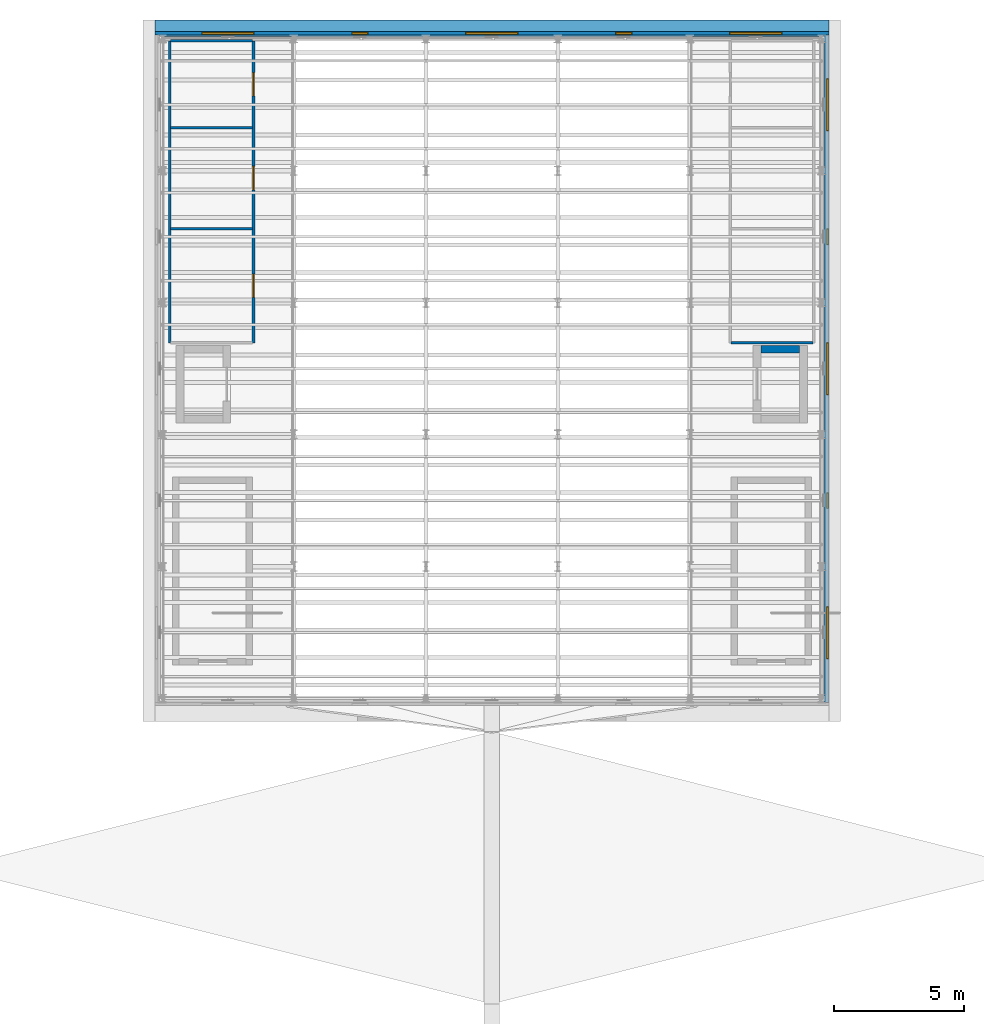
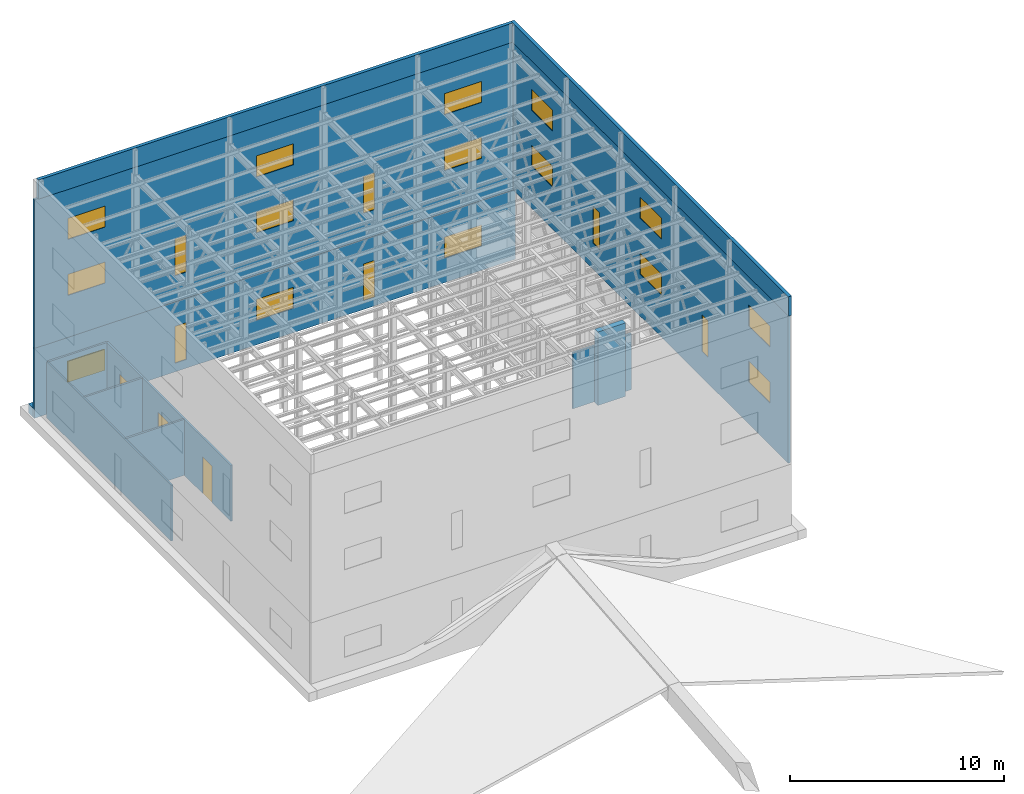
# One storey, part 20 of 22: 21 windows, 13 walls, 3 doors, 24 openings.
"""IFC4 building model written with IfcOpenShell, lengths in metres."""

import ifcopenshell
import ifcopenshell.guid

model = None  # the IFC model being written
_history = None  # IfcOwnerHistory: only IFC2X3 demands one
_inside = {}  # id of a spatial element -> (the spatial element, [elements in it])
_under = {}  # id of a project, library or spatial element -> (it, [spatial elements below it])
_declared = {}  # id of a project -> (the project, [libraries it declares])
_typed = {}  # id of a type object -> (the type object, [elements of that type])
_made_of = {}  # id of a material, layer set ... -> (it, [elements and type objects made of it])


def new_model(schema):
    """Start an empty IFC model of exactly this schema.

    Asked for "IFC4X3", IfcOpenShell would pick the latest addendum, in which some entities
    have other attributes; the version numbers below select the first issue.
    IFC2X3 requires an IfcOwnerHistory on every rooted entity: one is made here for all.
    """
    global model, _history
    if schema == "IFC4X3":
        model = ifcopenshell.file(schema_version=(4, 3, 0, 0))
    else:
        model = ifcopenshell.file(schema=schema)
    _inside.clear()
    _under.clear()
    _declared.clear()
    _typed.clear()
    _made_of.clear()
    _history = None
    if model.schema == "IFC2X3":
        org = make("IfcOrganization", Name="unknown")
        user = make(
            "IfcPersonAndOrganization",
            ThePerson=make("IfcPerson", FamilyName="unknown"),
            TheOrganization=org,
        )
        app = make(
            "IfcApplication",
            ApplicationDeveloper=org,
            Version="unknown",
            ApplicationFullName="unknown",
            ApplicationIdentifier="unknown",
        )
        _history = make(
            "IfcOwnerHistory",
            OwningUser=user,
            OwningApplication=app,
            ChangeAction="ADDED",
            CreationDate=0,
        )
    return model


def make(cls, **values):
    """One entity of the class cls with the attributes given. An attribute that is None is left unset."""
    return model.create_entity(
        cls, **{name: value for name, value in values.items() if value is not None}
    )


def rooted(cls, **values):
    """An entity with a GlobalId (a new one), such as an element, a storey or a relation."""
    return make(cls, GlobalId=ifcopenshell.guid.new(), OwnerHistory=_history, **values)


def si_unit(unit_type, name, prefix=None):
    """IfcSIUnit, for example si_unit("LENGTHUNIT", "METRE", prefix="MILLI")."""
    return make("IfcSIUnit", UnitType=unit_type, Prefix=prefix, Name=name)


def assignment(units):
    """IfcUnitAssignment: the units of a project."""
    return None if units is None else make("IfcUnitAssignment", Units=units)


def point(xyz):
    """IfcCartesianPoint."""
    return None if xyz is None else make("IfcCartesianPoint", Coordinates=xyz)


def direction(xyz):
    """IfcDirection."""
    return None if xyz is None else make("IfcDirection", DirectionRatios=xyz)


def frame(location, z_axis=None, x_axis=None):
    """IfcAxis2Placement3D, a coordinate frame: its origin and axes. An axis left out is left unset."""
    return make(
        "IfcAxis2Placement3D",
        Location=point(location),
        Axis=direction(z_axis),
        RefDirection=direction(x_axis),
    )


def frame_2d(location, x_axis=None):
    """IfcAxis2Placement2D, a coordinate frame in the plane: its origin and x axis."""
    return make(
        "IfcAxis2Placement2D", Location=point(location), RefDirection=direction(x_axis)
    )


def origin():
    """The frame at (0, 0, 0) with its axes left unset."""
    return frame((0.0, 0.0, 0.0))


def place(relative_to, where):
    """IfcLocalPlacement: puts the frame where relative to a parent placement (None: the world)."""
    return make(
        "IfcLocalPlacement", PlacementRelTo=relative_to, RelativePlacement=where
    )


def context(
    kind, dimensions, precision=None, world=None, true_north=None, identifier=None
):
    """IfcGeometricRepresentationContext, for example the 3D "Model" context."""
    return make(
        "IfcGeometricRepresentationContext",
        ContextIdentifier=identifier,
        ContextType=kind,
        CoordinateSpaceDimension=dimensions,
        Precision=precision,
        WorldCoordinateSystem=world,
        TrueNorth=true_north,
    )


def subcontext(parent, identifier, kind, view, scale=None):
    """IfcGeometricRepresentationSubContext, for example "Body" below "Model"."""
    return make(
        "IfcGeometricRepresentationSubContext",
        ContextIdentifier=identifier,
        ContextType=kind,
        ParentContext=parent,
        TargetScale=scale,
        TargetView=view,
    )


def project(units=None, contexts=None):
    """IfcProject with its units and contexts."""
    return rooted(
        "IfcProject",
        Name="project",
        RepresentationContexts=contexts,
        UnitsInContext=assignment(units),
    )


def spatial(cls, under=None, at=None, **own):
    """A site, building, storey or space (cls), placed at a placement, below another one or the project."""
    s = rooted(cls, ObjectPlacement=at, **own)
    if under is not None:
        _under.setdefault(under.id(), (under, []))[1].append(s)
    return s


def polyline(points):
    """IfcPolyline through the points."""
    return make("IfcPolyline", Points=[point(p) for p in points])


def profile(cls, at=None, kind="AREA", **sizes):
    """A parametric profile (cls). Its sizes go by their IFC names, for example OverallWidth=200.0."""
    return make(cls, ProfileType=kind, Position=at, **sizes)


def rectangle(**sizes):
    """IfcRectangleProfileDef."""
    return profile("IfcRectangleProfileDef", **sizes)


def outline(outer, holes=None, kind="AREA"):
    """IfcArbitraryClosedProfileDef: a profile drawn as a closed curve; with holes, ...WithVoids."""
    if holes is None:
        return make("IfcArbitraryClosedProfileDef", ProfileType=kind, OuterCurve=outer)
    return make(
        "IfcArbitraryProfileDefWithVoids",
        ProfileType=kind,
        OuterCurve=outer,
        InnerCurves=holes,
    )


def extrude(swept, where, along, depth):
    """IfcExtrudedAreaSolid: the profile swept, set in the frame where, extruded along a direction by depth."""
    return make(
        "IfcExtrudedAreaSolid",
        SweptArea=swept,
        Position=where,
        ExtrudedDirection=direction(along),
        Depth=depth,
    )


def shape(context_of_items, identifier, shape_type, items):
    """IfcShapeRepresentation: the items that make up one representation, for example the "Body"."""
    return make(
        "IfcShapeRepresentation",
        ContextOfItems=context_of_items,
        RepresentationIdentifier=identifier,
        RepresentationType=shape_type,
        Items=items,
    )


def material(Name=None, Category=None):
    """IfcMaterial."""
    return make("IfcMaterial", Name=Name, Category=Category)


def layer(
    of_material, thickness, ventilated=None, Name=None, Category=None, Priority=None
):
    """IfcMaterialLayer: one layer of a wall or slab, of a material (None: an air gap)."""
    return make(
        "IfcMaterialLayer",
        Material=of_material,
        LayerThickness=thickness,
        IsVentilated=ventilated,
        Name=Name,
        Category=Category,
        Priority=Priority,
    )


def layer_set(layers, Name=None):
    """IfcMaterialLayerSet."""
    return make("IfcMaterialLayerSet", MaterialLayers=layers, LayerSetName=Name)


def made_of(thing, what):
    """Note that an element or type object is made of a material, layer set ...; save() writes the relation."""
    if what is not None:
        _made_of.setdefault(what.id(), (what, []))[1].append(thing)
    return thing


def type_object(cls, material=None, **own):
    """A type object (cls), such as IfcWallType, which elements share."""
    return made_of(rooted(cls, **own), material)


def element(
    cls,
    number,
    at=None,
    inside=None,
    cuts=None,
    type_object=None,
    material=None,
    context=None,
    identifier="Body",
    shape_type=None,
    held_by="IfcProductDefinitionShape",
    body=None,
    shapes=None,
    **own,
):
    """One element of the class cls, such as IfcWall. Its Tag is "e" and its number.

    at: its placement. inside: the storey or other place that contains it. cuts: it is an
    opening in that element (IfcRelVoidsElement). A single representation is given by context,
    identifier, shape_type and body (its items); several are given by shapes. held_by: the class
    of the entity that holds the representations. save() writes the other relations.
    """
    e = rooted(cls, Tag="e%d" % number, ObjectPlacement=at, **own)
    if body is not None:
        shapes = [shape(context, identifier, shape_type, body)]
    if shapes is not None:
        e.Representation = make(held_by, Representations=shapes)
    if inside is not None:
        _inside.setdefault(inside.id(), (inside, []))[1].append(e)
    if cuts is not None:
        rooted(
            "IfcRelVoidsElement", RelatingBuildingElement=cuts, RelatedOpeningElement=e
        )
    if type_object is not None:
        _typed.setdefault(type_object.id(), (type_object, []))[1].append(e)
    return made_of(e, material)


def fill(opening, filler):
    """IfcRelFillsElement: the door or window that sits in an opening."""
    return rooted(
        "IfcRelFillsElement",
        RelatingOpeningElement=opening,
        RelatedBuildingElement=filler,
    )


def aggregate(whole, parts):
    """IfcRelAggregates: a whole, such as a stair, and the parts it consists of."""
    return rooted("IfcRelAggregates", RelatingObject=whole, RelatedObjects=parts)


def save(model, path):
    """Write the relations noted so far, then the file.

    IfcRelAggregates (storeys below a building ...), IfcRelContainedInSpatialStructure (elements
    in a storey), IfcRelDefinesByType, IfcRelAssociatesMaterial and IfcRelDeclares: one each for
    every whole, place, type object, material and project.
    """
    for whole, parts in _under.values():
        aggregate(whole, parts)
    for where, things in _inside.values():
        rooted(
            "IfcRelContainedInSpatialStructure",
            RelatedElements=things,
            RelatingStructure=where,
        )
    for kind, things in _typed.values():
        rooted("IfcRelDefinesByType", RelatedObjects=things, RelatingType=kind)
    for what, things in _made_of.values():
        rooted("IfcRelAssociatesMaterial", RelatedObjects=things, RelatingMaterial=what)
    for by, libraries in _declared.values():
        rooted("IfcRelDeclares", RelatingContext=by, RelatedDefinitions=libraries)
    model.write(path)


model = new_model("IFC4")

# Units and contexts
model_context = context("Model", 3, precision=1e-05, world=origin(), true_north=direction((0.0, 1.0)))
body_context = subcontext(model_context, "Body", "Model", "MODEL_VIEW")
ifc_project = project(units=[si_unit("LENGTHUNIT", "METRE"), si_unit("AREAUNIT", "SQUARE_METRE"), si_unit("VOLUMEUNIT", "CUBIC_METRE"), si_unit("PLANEANGLEUNIT", "RADIAN"), si_unit("MASSUNIT", "GRAM", prefix="KILO")], contexts=[model_context])

# Site, building, storey
site_placement = place(None, origin())
site = spatial("IfcSite", under=ifc_project, at=site_placement, CompositionType="ELEMENT")
building_placement = place(site_placement, origin())
building = spatial("IfcBuilding", under=site, at=building_placement, Name="Tide Square Theatres", CompositionType="ELEMENT")
storey_placement = place(building_placement, frame((0.0, 0.0, 24.0)))
storey = spatial("IfcBuildingStorey", under=building, at=storey_placement, Name="L05", CompositionType="ELEMENT", Elevation=24.0)

# Wall, openings, windows
ifc_material_1 = material(Name="Insulated metal panel, galvanised steel faces ASTM A653 SS Grade 340", Category="steel")
ifc_layer_1 = layer(ifc_material_1, 0.1201171875)
ifc_layer_set_1 = layer_set([ifc_layer_1], Name="Insulated metal panel, galvanised steel faces ASTM A653 SS Grade 340")
wall_type_1 = type_object("IfcWallType", Name="Insulated cladding wall 120 thick", PredefinedType="STANDARD", material=ifc_layer_set_1)
wall_1_placement = place(storey_placement, frame((96.93994140625, 56.1201171875, 4.0), z_axis=(0.0, 0.0, 1.0), x_axis=(0.0, 1.0, 0.0)))
wall_1 = element("IfcWall", 1, at=wall_1_placement, inside=storey, type_object=wall_type_1, Name="Fly tower crown cladding wall", PredefinedType="STANDARD", context=body_context, shape_type="SweptSolid", body=[
    extrude(rectangle(XDim=25.759765625, YDim=0.1201171875, at=frame_2d((12.8798828125, 0.0))), origin(), (0.0, 0.0, 1.0), 8.5),
])
opening_1_placement = place(wall_1_placement, frame((1.70068359375, 0.0, 2.39990234375)))
opening_1 = element("IfcOpeningElement", 2, at=opening_1_placement, cuts=wall_1, Name="Opening WN-23", PredefinedType="OPENING", context=body_context, shape_type="SweptSolid", body=[
    extrude(rectangle(XDim=2.0, YDim=1.199951171875, at=frame_2d((1.0, 0.60009765625))), frame((0.0, 0.070068359375, 0.0), z_axis=(0.0, -1.0, 0.0), x_axis=(1.0, 0.0, 0.0)), (0.0, 0.0, 1.0), 0.14013671875),
])
opening_2_placement = place(wall_1_placement, frame((1.70068359375, 0.0, 5.60009765625)))
opening_2 = element("IfcOpeningElement", 3, at=opening_2_placement, cuts=wall_1, Name="Opening WN-23", PredefinedType="OPENING", context=body_context, shape_type="SweptSolid", body=[
    extrude(rectangle(XDim=2.0, YDim=1.199951171875, at=frame_2d((1.0, 0.60009765625))), frame((0.0, 0.070068359375, 0.0), z_axis=(0.0, -1.0, 0.0), x_axis=(1.0, 0.0, 0.0)), (0.0, 0.0, 1.0), 0.14013671875),
])
opening_3_placement = place(wall_1_placement, frame((11.8798828125, 0.0, 2.39990234375)))
opening_3 = element("IfcOpeningElement", 4, at=opening_3_placement, cuts=wall_1, Name="Opening WN-23", PredefinedType="OPENING", context=body_context, shape_type="SweptSolid", body=[
    extrude(rectangle(XDim=2.0, YDim=1.199951171875, at=frame_2d((1.0, 0.60009765625))), frame((0.0, 0.070068359375, 0.0), z_axis=(0.0, -1.0, 0.0), x_axis=(1.0, 0.0, 0.0)), (0.0, 0.0, 1.0), 0.14013671875),
])
opening_4_placement = place(wall_1_placement, frame((11.8798828125, 0.0, 5.60009765625)))
opening_4 = element("IfcOpeningElement", 5, at=opening_4_placement, cuts=wall_1, Name="Opening WN-23", PredefinedType="OPENING", context=body_context, shape_type="SweptSolid", body=[
    extrude(rectangle(XDim=2.0, YDim=1.199951171875, at=frame_2d((1.0, 0.60009765625))), frame((0.0, 0.070068359375, 0.0), z_axis=(0.0, -1.0, 0.0), x_axis=(1.0, 0.0, 0.0)), (0.0, 0.0, 1.0), 0.14013671875),
])
opening_5_placement = place(wall_1_placement, frame((22.05908203125, 0.0, 2.39990234375)))
opening_5 = element("IfcOpeningElement", 6, at=opening_5_placement, cuts=wall_1, Name="Opening WN-23", PredefinedType="OPENING", context=body_context, shape_type="SweptSolid", body=[
    extrude(rectangle(XDim=2.0, YDim=1.199951171875, at=frame_2d((1.0, 0.60009765625))), frame((0.0, 0.070068359375, 0.0), z_axis=(0.0, -1.0, 0.0), x_axis=(1.0, 0.0, 0.0)), (0.0, 0.0, 1.0), 0.14013671875),
])
opening_6_placement = place(wall_1_placement, frame((22.05908203125, 0.0, 5.60009765625)))
opening_6 = element("IfcOpeningElement", 7, at=opening_6_placement, cuts=wall_1, Name="Opening WN-23", PredefinedType="OPENING", context=body_context, shape_type="SweptSolid", body=[
    extrude(rectangle(XDim=2.0, YDim=1.199951171875, at=frame_2d((1.0, 0.60009765625))), frame((0.0, 0.070068359375, 0.0), z_axis=(0.0, -1.0, 0.0), x_axis=(1.0, 0.0, 0.0)), (0.0, 0.0, 1.0), 0.14013671875),
])
opening_7_placement = place(wall_1_placement, frame((7.490478515625, 0.0, 1.5)))
opening_7 = element("IfcOpeningElement", 8, at=opening_7_placement, cuts=wall_1, Name="Opening WN-11", PredefinedType="OPENING", context=body_context, shape_type="SweptSolid", body=[
    extrude(rectangle(XDim=0.60009765625, YDim=2.10009765625, at=frame_2d((0.300048828125, 1.050048828125))), frame((0.0, 0.070068359375, 0.0), z_axis=(0.0, -1.0, 0.0), x_axis=(1.0, 0.0, 0.0)), (0.0, 0.0, 1.0), 0.14013671875),
])
opening_8_placement = place(wall_1_placement, frame((17.669677734375, 0.0, 1.5)))
opening_8 = element("IfcOpeningElement", 9, at=opening_8_placement, cuts=wall_1, Name="Opening WN-11", PredefinedType="OPENING", context=body_context, shape_type="SweptSolid", body=[
    extrude(rectangle(XDim=0.60009765625, YDim=2.10009765625, at=frame_2d((0.300048828125, 1.050048828125))), frame((0.0, 0.070068359375, 0.0), z_axis=(0.0, -1.0, 0.0), x_axis=(1.0, 0.0, 0.0)), (0.0, 0.0, 1.0), 0.14013671875),
])
ifc_material_2 = material(Name="Aluminium with laminated glass", Category="aluminium")
window_type_1 = type_object("IfcWindowType", Name="Window 2000 x 1200", PartitioningType="DOUBLE_PANEL_VERTICAL", PredefinedType="WINDOW", material=ifc_material_2)
window_1_placement = place(opening_1_placement, origin())
window_1 = element("IfcWindow", 10, at=window_1_placement, inside=storey, type_object=window_type_1, Name="Fly tower louvre", OverallHeight=1.199951171875, OverallWidth=2.0, PartitioningType="SINGLE_PANEL", PredefinedType="WINDOW", context=body_context, shape_type="SweptSolid", body=[
    extrude(rectangle(XDim=2.0, YDim=1.199951171875, at=frame_2d((1.0, 0.60009765625))), frame((0.0, 0.030029296875, 0.0), z_axis=(0.0, -1.0, 0.0), x_axis=(1.0, 0.0, 0.0)), (0.0, 0.0, 1.0), 0.06005859375),
])
fill(opening_1, window_1)
window_2_placement = place(opening_2_placement, origin())
window_2 = element("IfcWindow", 11, at=window_2_placement, inside=storey, type_object=window_type_1, Name="Fly tower louvre", OverallHeight=1.199951171875, OverallWidth=2.0, PartitioningType="SINGLE_PANEL", PredefinedType="WINDOW", context=body_context, shape_type="SweptSolid", body=[
    extrude(rectangle(XDim=2.0, YDim=1.199951171875, at=frame_2d((1.0, 0.60009765625))), frame((0.0, 0.030029296875, 0.0), z_axis=(0.0, -1.0, 0.0), x_axis=(1.0, 0.0, 0.0)), (0.0, 0.0, 1.0), 0.06005859375),
])
fill(opening_2, window_2)
window_3_placement = place(opening_3_placement, origin())
window_3 = element("IfcWindow", 12, at=window_3_placement, inside=storey, type_object=window_type_1, Name="Fly tower louvre", OverallHeight=1.199951171875, OverallWidth=2.0, PartitioningType="SINGLE_PANEL", PredefinedType="WINDOW", context=body_context, shape_type="SweptSolid", body=[
    extrude(rectangle(XDim=2.0, YDim=1.199951171875, at=frame_2d((1.0, 0.60009765625))), frame((0.0, 0.030029296875, 0.0), z_axis=(0.0, -1.0, 0.0), x_axis=(1.0, 0.0, 0.0)), (0.0, 0.0, 1.0), 0.06005859375),
])
fill(opening_3, window_3)
window_4_placement = place(opening_4_placement, origin())
window_4 = element("IfcWindow", 13, at=window_4_placement, inside=storey, type_object=window_type_1, Name="Fly tower louvre", OverallHeight=1.199951171875, OverallWidth=2.0, PartitioningType="SINGLE_PANEL", PredefinedType="WINDOW", context=body_context, shape_type="SweptSolid", body=[
    extrude(rectangle(XDim=2.0, YDim=1.199951171875, at=frame_2d((1.0, 0.60009765625))), frame((0.0, 0.030029296875, 0.0), z_axis=(0.0, -1.0, 0.0), x_axis=(1.0, 0.0, 0.0)), (0.0, 0.0, 1.0), 0.06005859375),
])
fill(opening_4, window_4)
window_5_placement = place(opening_5_placement, origin())
window_5 = element("IfcWindow", 14, at=window_5_placement, inside=storey, type_object=window_type_1, Name="Fly tower louvre", OverallHeight=1.199951171875, OverallWidth=2.0, PartitioningType="SINGLE_PANEL", PredefinedType="WINDOW", context=body_context, shape_type="SweptSolid", body=[
    extrude(rectangle(XDim=2.0, YDim=1.199951171875, at=frame_2d((1.0, 0.60009765625))), frame((0.0, 0.030029296875, 0.0), z_axis=(0.0, -1.0, 0.0), x_axis=(1.0, 0.0, 0.0)), (0.0, 0.0, 1.0), 0.06005859375),
])
fill(opening_5, window_5)
window_6_placement = place(opening_6_placement, origin())
window_6 = element("IfcWindow", 15, at=window_6_placement, inside=storey, type_object=window_type_1, Name="Fly tower louvre", OverallHeight=1.199951171875, OverallWidth=2.0, PartitioningType="SINGLE_PANEL", PredefinedType="WINDOW", context=body_context, shape_type="SweptSolid", body=[
    extrude(rectangle(XDim=2.0, YDim=1.199951171875, at=frame_2d((1.0, 0.60009765625))), frame((0.0, 0.030029296875, 0.0), z_axis=(0.0, -1.0, 0.0), x_axis=(1.0, 0.0, 0.0)), (0.0, 0.0, 1.0), 0.06005859375),
])
fill(opening_6, window_6)
ifc_material_3 = material(Name="Aluminium with laminated glass", Category="aluminium")
window_type_2 = type_object("IfcWindowType", Name="Window 600 x 2100", PartitioningType="SINGLE_PANEL", PredefinedType="WINDOW", material=ifc_material_3)
window_7_placement = place(opening_7_placement, origin())
window_7 = element("IfcWindow", 16, at=window_7_placement, inside=storey, type_object=window_type_2, Name="Fly tower vent slot", OverallHeight=2.10009765625, OverallWidth=0.60009765625, PartitioningType="SINGLE_PANEL", PredefinedType="WINDOW", context=body_context, shape_type="SweptSolid", body=[
    extrude(rectangle(XDim=0.60009765625, YDim=2.10009765625, at=frame_2d((0.300048828125, 1.050048828125))), frame((0.0, 0.030029296875, 0.0), z_axis=(0.0, -1.0, 0.0), x_axis=(1.0, 0.0, 0.0)), (0.0, 0.0, 1.0), 0.06005859375),
])
fill(opening_7, window_7)
window_8_placement = place(opening_8_placement, origin())
window_8 = element("IfcWindow", 17, at=window_8_placement, inside=storey, type_object=window_type_2, Name="Fly tower vent slot", OverallHeight=2.10009765625, OverallWidth=0.60009765625, PartitioningType="SINGLE_PANEL", PredefinedType="WINDOW", context=body_context, shape_type="SweptSolid", body=[
    extrude(rectangle(XDim=0.60009765625, YDim=2.10009765625, at=frame_2d((0.300048828125, 1.050048828125))), frame((0.0, 0.030029296875, 0.0), z_axis=(0.0, -1.0, 0.0), x_axis=(1.0, 0.0, 0.0)), (0.0, 0.0, 1.0), 0.06005859375),
])
fill(opening_8, window_8)

wall_2_placement = place(storey_placement, frame((71.0, 81.93994140625, 0.0), z_axis=(0.0, 0.0, 1.0), x_axis=(1.0, 0.0, 0.0)))
wall_2 = element("IfcWall", 18, at=wall_2_placement, inside=storey, type_object=wall_type_1, Name="Fly tower upper cladding wall", PredefinedType="STANDARD", context=body_context, shape_type="SweptSolid", body=[
    extrude(rectangle(XDim=26.0, YDim=0.1201171875, at=frame_2d((13.0, 0.0))), origin(), (0.0, 0.0, 1.0), 4.0),
])
opening_9_placement = place(wall_2_placement, frame((1.82080078125, 0.0, 1.39990234375)))
opening_9 = element("IfcOpeningElement", 19, at=opening_9_placement, cuts=wall_2, Name="Opening WN-23", PredefinedType="OPENING", context=body_context, shape_type="SweptSolid", body=[
    extrude(rectangle(XDim=2.0, YDim=1.199951171875, at=frame_2d((1.0, 0.60009765625))), frame((0.0, 0.070068359375, 0.0), z_axis=(0.0, -1.0, 0.0), x_axis=(1.0, 0.0, 0.0)), (0.0, 0.0, 1.0), 0.14013671875),
])
opening_10_placement = place(wall_2_placement, frame((12.0, 0.0, 1.39990234375)))
opening_10 = element("IfcOpeningElement", 20, at=opening_10_placement, cuts=wall_2, Name="Opening WN-23", PredefinedType="OPENING", context=body_context, shape_type="SweptSolid", body=[
    extrude(rectangle(XDim=2.0, YDim=1.199951171875, at=frame_2d((1.0, 0.60009765625))), frame((0.0, 0.070068359375, 0.0), z_axis=(0.0, -1.0, 0.0), x_axis=(1.0, 0.0, 0.0)), (0.0, 0.0, 1.0), 0.14013671875),
])
opening_11_placement = place(wall_2_placement, frame((22.17919921875, 0.0, 1.39990234375)))
opening_11 = element("IfcOpeningElement", 21, at=opening_11_placement, cuts=wall_2, Name="Opening WN-23", PredefinedType="OPENING", context=body_context, shape_type="SweptSolid", body=[
    extrude(rectangle(XDim=2.0, YDim=1.199951171875, at=frame_2d((1.0, 0.60009765625))), frame((0.0, 0.070068359375, 0.0), z_axis=(0.0, -1.0, 0.0), x_axis=(1.0, 0.0, 0.0)), (0.0, 0.0, 1.0), 0.14013671875),
])
opening_12_placement = place(wall_2_placement, frame((7.6103515625, 0.0, 0.5)))
opening_12 = element("IfcOpeningElement", 22, at=opening_12_placement, cuts=wall_2, Name="Opening WN-11", PredefinedType="OPENING", context=body_context, shape_type="SweptSolid", body=[
    extrude(rectangle(XDim=0.60009765625, YDim=2.10009765625, at=frame_2d((0.300048828125, 1.050048828125))), frame((0.0, 0.070068359375, 0.0), z_axis=(0.0, -1.0, 0.0), x_axis=(1.0, 0.0, 0.0)), (0.0, 0.0, 1.0), 0.14013671875),
])
opening_13_placement = place(wall_2_placement, frame((17.78955078125, 0.0, 0.5)))
opening_13 = element("IfcOpeningElement", 23, at=opening_13_placement, cuts=wall_2, Name="Opening WN-11", PredefinedType="OPENING", context=body_context, shape_type="SweptSolid", body=[
    extrude(rectangle(XDim=0.60009765625, YDim=2.10009765625, at=frame_2d((0.300048828125, 1.050048828125))), frame((0.0, 0.070068359375, 0.0), z_axis=(0.0, -1.0, 0.0), x_axis=(1.0, 0.0, 0.0)), (0.0, 0.0, 1.0), 0.14013671875),
])
window_9_placement = place(opening_9_placement, origin())
window_9 = element("IfcWindow", 24, at=window_9_placement, inside=storey, type_object=window_type_1, Name="Fly tower louvre", OverallHeight=1.199951171875, OverallWidth=2.0, PartitioningType="SINGLE_PANEL", PredefinedType="WINDOW", context=body_context, shape_type="SweptSolid", body=[
    extrude(rectangle(XDim=2.0, YDim=1.199951171875, at=frame_2d((1.0, 0.60009765625))), frame((0.0, 0.030029296875, 0.0), z_axis=(0.0, -1.0, 0.0), x_axis=(1.0, 0.0, 0.0)), (0.0, 0.0, 1.0), 0.06005859375),
])
fill(opening_9, window_9)
window_10_placement = place(opening_10_placement, origin())
window_10 = element("IfcWindow", 25, at=window_10_placement, inside=storey, type_object=window_type_1, Name="Fly tower louvre", OverallHeight=1.199951171875, OverallWidth=2.0, PartitioningType="SINGLE_PANEL", PredefinedType="WINDOW", context=body_context, shape_type="SweptSolid", body=[
    extrude(rectangle(XDim=2.0, YDim=1.199951171875, at=frame_2d((1.0, 0.60009765625))), frame((0.0, 0.030029296875, 0.0), z_axis=(0.0, -1.0, 0.0), x_axis=(1.0, 0.0, 0.0)), (0.0, 0.0, 1.0), 0.06005859375),
])
fill(opening_10, window_10)
window_11_placement = place(opening_11_placement, origin())
window_11 = element("IfcWindow", 26, at=window_11_placement, inside=storey, type_object=window_type_1, Name="Fly tower louvre", OverallHeight=1.199951171875, OverallWidth=2.0, PartitioningType="SINGLE_PANEL", PredefinedType="WINDOW", context=body_context, shape_type="SweptSolid", body=[
    extrude(rectangle(XDim=2.0, YDim=1.199951171875, at=frame_2d((1.0, 0.60009765625))), frame((0.0, 0.030029296875, 0.0), z_axis=(0.0, -1.0, 0.0), x_axis=(1.0, 0.0, 0.0)), (0.0, 0.0, 1.0), 0.06005859375),
])
fill(opening_11, window_11)
window_12_placement = place(opening_12_placement, origin())
window_12 = element("IfcWindow", 27, at=window_12_placement, inside=storey, type_object=window_type_2, Name="Fly tower vent slot", OverallHeight=2.10009765625, OverallWidth=0.60009765625, PartitioningType="SINGLE_PANEL", PredefinedType="WINDOW", context=body_context, shape_type="SweptSolid", body=[
    extrude(rectangle(XDim=0.60009765625, YDim=2.10009765625, at=frame_2d((0.300048828125, 1.050048828125))), frame((0.0, 0.030029296875, 0.0), z_axis=(0.0, -1.0, 0.0), x_axis=(1.0, 0.0, 0.0)), (0.0, 0.0, 1.0), 0.06005859375),
])
fill(opening_12, window_12)
window_13_placement = place(opening_13_placement, origin())
window_13 = element("IfcWindow", 28, at=window_13_placement, inside=storey, type_object=window_type_2, Name="Fly tower vent slot", OverallHeight=2.10009765625, OverallWidth=0.60009765625, PartitioningType="SINGLE_PANEL", PredefinedType="WINDOW", context=body_context, shape_type="SweptSolid", body=[
    extrude(rectangle(XDim=0.60009765625, YDim=2.10009765625, at=frame_2d((0.300048828125, 1.050048828125))), frame((0.0, 0.030029296875, 0.0), z_axis=(0.0, -1.0, 0.0), x_axis=(1.0, 0.0, 0.0)), (0.0, 0.0, 1.0), 0.06005859375),
])
fill(opening_13, window_13)

wall_3_placement = place(storey_placement, frame((71.0, 81.93994140625, 4.0), z_axis=(0.0, 0.0, 1.0), x_axis=(1.0, 0.0, 0.0)))
wall_3 = element("IfcWall", 29, at=wall_3_placement, inside=storey, type_object=wall_type_1, Name="Fly tower crown cladding wall", PredefinedType="STANDARD", context=body_context, shape_type="SweptSolid", body=[
    extrude(rectangle(XDim=26.0, YDim=0.1201171875, at=frame_2d((13.0, 0.0))), origin(), (0.0, 0.0, 1.0), 8.5),
])
opening_14_placement = place(wall_3_placement, frame((1.82080078125, 0.0, 2.39990234375)))
opening_14 = element("IfcOpeningElement", 30, at=opening_14_placement, cuts=wall_3, Name="Opening WN-23", PredefinedType="OPENING", context=body_context, shape_type="SweptSolid", body=[
    extrude(rectangle(XDim=2.0, YDim=1.199951171875, at=frame_2d((1.0, 0.60009765625))), frame((0.0, 0.070068359375, 0.0), z_axis=(0.0, -1.0, 0.0), x_axis=(1.0, 0.0, 0.0)), (0.0, 0.0, 1.0), 0.14013671875),
])
opening_15_placement = place(wall_3_placement, frame((1.82080078125, 0.0, 5.60009765625)))
opening_15 = element("IfcOpeningElement", 31, at=opening_15_placement, cuts=wall_3, Name="Opening WN-23", PredefinedType="OPENING", context=body_context, shape_type="SweptSolid", body=[
    extrude(rectangle(XDim=2.0, YDim=1.199951171875, at=frame_2d((1.0, 0.60009765625))), frame((0.0, 0.070068359375, 0.0), z_axis=(0.0, -1.0, 0.0), x_axis=(1.0, 0.0, 0.0)), (0.0, 0.0, 1.0), 0.14013671875),
])
opening_16_placement = place(wall_3_placement, frame((12.0, 0.0, 2.39990234375)))
opening_16 = element("IfcOpeningElement", 32, at=opening_16_placement, cuts=wall_3, Name="Opening WN-23", PredefinedType="OPENING", context=body_context, shape_type="SweptSolid", body=[
    extrude(rectangle(XDim=2.0, YDim=1.199951171875, at=frame_2d((1.0, 0.60009765625))), frame((0.0, 0.070068359375, 0.0), z_axis=(0.0, -1.0, 0.0), x_axis=(1.0, 0.0, 0.0)), (0.0, 0.0, 1.0), 0.14013671875),
])
opening_17_placement = place(wall_3_placement, frame((12.0, 0.0, 5.60009765625)))
opening_17 = element("IfcOpeningElement", 33, at=opening_17_placement, cuts=wall_3, Name="Opening WN-23", PredefinedType="OPENING", context=body_context, shape_type="SweptSolid", body=[
    extrude(rectangle(XDim=2.0, YDim=1.199951171875, at=frame_2d((1.0, 0.60009765625))), frame((0.0, 0.070068359375, 0.0), z_axis=(0.0, -1.0, 0.0), x_axis=(1.0, 0.0, 0.0)), (0.0, 0.0, 1.0), 0.14013671875),
])
opening_18_placement = place(wall_3_placement, frame((22.17919921875, 0.0, 2.39990234375)))
opening_18 = element("IfcOpeningElement", 34, at=opening_18_placement, cuts=wall_3, Name="Opening WN-23", PredefinedType="OPENING", context=body_context, shape_type="SweptSolid", body=[
    extrude(rectangle(XDim=2.0, YDim=1.199951171875, at=frame_2d((1.0, 0.60009765625))), frame((0.0, 0.070068359375, 0.0), z_axis=(0.0, -1.0, 0.0), x_axis=(1.0, 0.0, 0.0)), (0.0, 0.0, 1.0), 0.14013671875),
])
opening_19_placement = place(wall_3_placement, frame((22.17919921875, 0.0, 5.60009765625)))
opening_19 = element("IfcOpeningElement", 35, at=opening_19_placement, cuts=wall_3, Name="Opening WN-23", PredefinedType="OPENING", context=body_context, shape_type="SweptSolid", body=[
    extrude(rectangle(XDim=2.0, YDim=1.199951171875, at=frame_2d((1.0, 0.60009765625))), frame((0.0, 0.070068359375, 0.0), z_axis=(0.0, -1.0, 0.0), x_axis=(1.0, 0.0, 0.0)), (0.0, 0.0, 1.0), 0.14013671875),
])
opening_20_placement = place(wall_3_placement, frame((7.6103515625, 0.0, 1.5)))
opening_20 = element("IfcOpeningElement", 36, at=opening_20_placement, cuts=wall_3, Name="Opening WN-11", PredefinedType="OPENING", context=body_context, shape_type="SweptSolid", body=[
    extrude(rectangle(XDim=0.60009765625, YDim=2.10009765625, at=frame_2d((0.300048828125, 1.050048828125))), frame((0.0, 0.070068359375, 0.0), z_axis=(0.0, -1.0, 0.0), x_axis=(1.0, 0.0, 0.0)), (0.0, 0.0, 1.0), 0.14013671875),
])
opening_21_placement = place(wall_3_placement, frame((17.78955078125, 0.0, 1.5)))
opening_21 = element("IfcOpeningElement", 37, at=opening_21_placement, cuts=wall_3, Name="Opening WN-11", PredefinedType="OPENING", context=body_context, shape_type="SweptSolid", body=[
    extrude(rectangle(XDim=0.60009765625, YDim=2.10009765625, at=frame_2d((0.300048828125, 1.050048828125))), frame((0.0, 0.070068359375, 0.0), z_axis=(0.0, -1.0, 0.0), x_axis=(1.0, 0.0, 0.0)), (0.0, 0.0, 1.0), 0.14013671875),
])
window_14_placement = place(opening_14_placement, origin())
window_14 = element("IfcWindow", 38, at=window_14_placement, inside=storey, type_object=window_type_1, Name="Fly tower louvre", OverallHeight=1.199951171875, OverallWidth=2.0, PartitioningType="SINGLE_PANEL", PredefinedType="WINDOW", context=body_context, shape_type="SweptSolid", body=[
    extrude(rectangle(XDim=2.0, YDim=1.199951171875, at=frame_2d((1.0, 0.60009765625))), frame((0.0, 0.030029296875, 0.0), z_axis=(0.0, -1.0, 0.0), x_axis=(1.0, 0.0, 0.0)), (0.0, 0.0, 1.0), 0.06005859375),
])
fill(opening_14, window_14)
window_15_placement = place(opening_15_placement, origin())
window_15 = element("IfcWindow", 39, at=window_15_placement, inside=storey, type_object=window_type_1, Name="Fly tower louvre", OverallHeight=1.199951171875, OverallWidth=2.0, PartitioningType="SINGLE_PANEL", PredefinedType="WINDOW", context=body_context, shape_type="SweptSolid", body=[
    extrude(rectangle(XDim=2.0, YDim=1.199951171875, at=frame_2d((1.0, 0.60009765625))), frame((0.0, 0.030029296875, 0.0), z_axis=(0.0, -1.0, 0.0), x_axis=(1.0, 0.0, 0.0)), (0.0, 0.0, 1.0), 0.06005859375),
])
fill(opening_15, window_15)
window_16_placement = place(opening_16_placement, origin())
window_16 = element("IfcWindow", 40, at=window_16_placement, inside=storey, type_object=window_type_1, Name="Fly tower louvre", OverallHeight=1.199951171875, OverallWidth=2.0, PartitioningType="SINGLE_PANEL", PredefinedType="WINDOW", context=body_context, shape_type="SweptSolid", body=[
    extrude(rectangle(XDim=2.0, YDim=1.199951171875, at=frame_2d((1.0, 0.60009765625))), frame((0.0, 0.030029296875, 0.0), z_axis=(0.0, -1.0, 0.0), x_axis=(1.0, 0.0, 0.0)), (0.0, 0.0, 1.0), 0.06005859375),
])
fill(opening_16, window_16)
window_17_placement = place(opening_17_placement, origin())
window_17 = element("IfcWindow", 41, at=window_17_placement, inside=storey, type_object=window_type_1, Name="Fly tower louvre", OverallHeight=1.199951171875, OverallWidth=2.0, PartitioningType="SINGLE_PANEL", PredefinedType="WINDOW", context=body_context, shape_type="SweptSolid", body=[
    extrude(rectangle(XDim=2.0, YDim=1.199951171875, at=frame_2d((1.0, 0.60009765625))), frame((0.0, 0.030029296875, 0.0), z_axis=(0.0, -1.0, 0.0), x_axis=(1.0, 0.0, 0.0)), (0.0, 0.0, 1.0), 0.06005859375),
])
fill(opening_17, window_17)
window_18_placement = place(opening_18_placement, origin())
window_18 = element("IfcWindow", 42, at=window_18_placement, inside=storey, type_object=window_type_1, Name="Fly tower louvre", OverallHeight=1.199951171875, OverallWidth=2.0, PartitioningType="SINGLE_PANEL", PredefinedType="WINDOW", context=body_context, shape_type="SweptSolid", body=[
    extrude(rectangle(XDim=2.0, YDim=1.199951171875, at=frame_2d((1.0, 0.60009765625))), frame((0.0, 0.030029296875, 0.0), z_axis=(0.0, -1.0, 0.0), x_axis=(1.0, 0.0, 0.0)), (0.0, 0.0, 1.0), 0.06005859375),
])
fill(opening_18, window_18)
window_19_placement = place(opening_19_placement, origin())
window_19 = element("IfcWindow", 43, at=window_19_placement, inside=storey, type_object=window_type_1, Name="Fly tower louvre", OverallHeight=1.199951171875, OverallWidth=2.0, PartitioningType="SINGLE_PANEL", PredefinedType="WINDOW", context=body_context, shape_type="SweptSolid", body=[
    extrude(rectangle(XDim=2.0, YDim=1.199951171875, at=frame_2d((1.0, 0.60009765625))), frame((0.0, 0.030029296875, 0.0), z_axis=(0.0, -1.0, 0.0), x_axis=(1.0, 0.0, 0.0)), (0.0, 0.0, 1.0), 0.06005859375),
])
fill(opening_19, window_19)
window_20_placement = place(opening_20_placement, origin())
window_20 = element("IfcWindow", 44, at=window_20_placement, inside=storey, type_object=window_type_2, Name="Fly tower vent slot", OverallHeight=2.10009765625, OverallWidth=0.60009765625, PartitioningType="SINGLE_PANEL", PredefinedType="WINDOW", context=body_context, shape_type="SweptSolid", body=[
    extrude(rectangle(XDim=0.60009765625, YDim=2.10009765625, at=frame_2d((0.300048828125, 1.050048828125))), frame((0.0, 0.030029296875, 0.0), z_axis=(0.0, -1.0, 0.0), x_axis=(1.0, 0.0, 0.0)), (0.0, 0.0, 1.0), 0.06005859375),
])
fill(opening_20, window_20)
window_21_placement = place(opening_21_placement, origin())
window_21 = element("IfcWindow", 45, at=window_21_placement, inside=storey, type_object=window_type_2, Name="Fly tower vent slot", OverallHeight=2.10009765625, OverallWidth=0.60009765625, PartitioningType="SINGLE_PANEL", PredefinedType="WINDOW", context=body_context, shape_type="SweptSolid", body=[
    extrude(rectangle(XDim=0.60009765625, YDim=2.10009765625, at=frame_2d((0.300048828125, 1.050048828125))), frame((0.0, 0.030029296875, 0.0), z_axis=(0.0, -1.0, 0.0), x_axis=(1.0, 0.0, 0.0)), (0.0, 0.0, 1.0), 0.06005859375),
])
fill(opening_21, window_21)

# Wall
ifc_material_4 = material(Name="Gypsum board on steel studs", Category="steel")
ifc_layer_2 = layer(ifc_material_4, 0.10009765625)
ifc_layer_set_2 = layer_set([ifc_layer_2], Name="Gypsum board on steel studs")
wall_type_2 = type_object("IfcWallType", Name="Partition 100 thick", PredefinedType="PARTITIONING", material=ifc_layer_set_2)
wall_4_placement = place(storey_placement, frame((71.575927734375, 70.0, 0.0), z_axis=(0.0, 0.0, 1.0), x_axis=(0.0, 1.0, 0.0)))
element("IfcWall", 46, at=wall_4_placement, inside=storey, type_object=wall_type_2, Name="Partition", PredefinedType="PARTITIONING", context=body_context, shape_type="SweptSolid", body=[
    extrude(rectangle(XDim=11.64404296875, YDim=0.10009765625, at=frame_2d((5.822021484375, 0.0))), origin(), (0.0, 0.0, 1.0), 3.199951171875),
])

# Wall, openings, doors
wall_5_placement = place(storey_placement, frame((74.805908203125, 70.0, 0.0), z_axis=(0.0, 0.0, 1.0), x_axis=(0.0, 1.0, 0.0)))
wall_5 = element("IfcWall", 47, at=wall_5_placement, inside=storey, type_object=wall_type_2, Name="Partition", PredefinedType="PARTITIONING", context=body_context, shape_type="SweptSolid", body=[
    extrude(rectangle(XDim=11.64404296875, YDim=0.10009765625, at=frame_2d((5.822021484375, 0.0))), origin(), (0.0, 0.0, 1.0), 3.199951171875),
])
opening_22_placement = place(wall_5_placement, frame((1.75, 0.0, 0.0)))
opening_22 = element("IfcOpeningElement", 48, at=opening_22_placement, cuts=wall_5, Name="Opening T05-03", PredefinedType="OPENING", context=body_context, shape_type="SweptSolid", body=[
    extrude(rectangle(XDim=0.89990234375, YDim=2.10009765625, at=frame_2d((0.449951171875, 1.050048828125))), frame((0.0, 0.06005859375, 0.0), z_axis=(0.0, -1.0, 0.0), x_axis=(1.0, 0.0, 0.0)), (0.0, 0.0, 1.0), 0.1201171875),
])
opening_23_placement = place(wall_5_placement, frame((5.89990234375, 0.0, 0.0)))
opening_23 = element("IfcOpeningElement", 49, at=opening_23_placement, cuts=wall_5, Name="Opening T05-04", PredefinedType="OPENING", context=body_context, shape_type="SweptSolid", body=[
    extrude(rectangle(XDim=0.89990234375, YDim=2.10009765625, at=frame_2d((0.449951171875, 1.050048828125))), frame((0.0, 0.06005859375, 0.0), z_axis=(0.0, -1.0, 0.0), x_axis=(1.0, 0.0, 0.0)), (0.0, 0.0, 1.0), 0.1201171875),
])
opening_24_placement = place(wall_5_placement, frame((9.52197265625, 0.0, 0.0)))
opening_24 = element("IfcOpeningElement", 50, at=opening_24_placement, cuts=wall_5, Name="Opening T05-05", PredefinedType="OPENING", context=body_context, shape_type="SweptSolid", body=[
    extrude(rectangle(XDim=0.89990234375, YDim=2.10009765625, at=frame_2d((0.449951171875, 1.050048828125))), frame((0.0, 0.06005859375, 0.0), z_axis=(0.0, -1.0, 0.0), x_axis=(1.0, 0.0, 0.0)), (0.0, 0.0, 1.0), 0.1201171875),
])
ifc_material_5 = material(Name="Hardwood timber", Category="wood")
door_type = type_object("IfcDoorType", Name="Door 900 x 2100 single leaf", OperationType="NOTDEFINED", PredefinedType="DOOR", material=ifc_material_5)
door_1_placement = place(opening_22_placement, origin())
door_1 = element("IfcDoor", 51, at=door_1_placement, inside=storey, type_object=door_type, Name="Fly Tower Control Room door", OperationType="SINGLE_SWING_RIGHT", OverallHeight=2.10009765625, OverallWidth=0.89990234375, PredefinedType="DOOR", context=body_context, shape_type="SweptSolid", body=[
    extrude(rectangle(XDim=0.89990234375, YDim=2.10009765625, at=frame_2d((0.449951171875, 1.050048828125))), frame((0.0, 0.02490234375, 0.0), z_axis=(0.0, -1.0, 0.0), x_axis=(1.0, 0.0, 0.0)), (0.0, 0.0, 1.0), 0.050048828125),
])
fill(opening_22, door_1)
door_2_placement = place(opening_23_placement, origin())
door_2 = element("IfcDoor", 52, at=door_2_placement, inside=storey, type_object=door_type, Name="Sound Control Room door", OperationType="SINGLE_SWING_RIGHT", OverallHeight=2.10009765625, OverallWidth=0.89990234375, PredefinedType="DOOR", context=body_context, shape_type="SweptSolid", body=[
    extrude(rectangle(XDim=0.89990234375, YDim=2.10009765625, at=frame_2d((0.449951171875, 1.050048828125))), frame((0.0, 0.02490234375, 0.0), z_axis=(0.0, -1.0, 0.0), x_axis=(1.0, 0.0, 0.0)), (0.0, 0.0, 1.0), 0.050048828125),
])
fill(opening_23, door_2)
door_3_placement = place(opening_24_placement, origin())
door_3 = element("IfcDoor", 53, at=door_3_placement, inside=storey, type_object=door_type, Name="Costume Repair Room door", OperationType="SINGLE_SWING_RIGHT", OverallHeight=2.10009765625, OverallWidth=0.89990234375, PredefinedType="DOOR", context=body_context, shape_type="SweptSolid", body=[
    extrude(rectangle(XDim=0.89990234375, YDim=2.10009765625, at=frame_2d((0.449951171875, 1.050048828125))), frame((0.0, 0.02490234375, 0.0), z_axis=(0.0, -1.0, 0.0), x_axis=(1.0, 0.0, 0.0)), (0.0, 0.0, 1.0), 0.050048828125),
])
fill(opening_24, door_3)

# Walls
for number, where, z_axis, x_axis, name in (
    (54, (71.60595703125, 74.39990234375, 0.0), (0.0, 0.0, 1.0), (1.0, 0.0, 0.0), "Partition"),
    (55, (71.60595703125, 78.300048828125, 0.0), (0.0, 0.0, 1.0), (1.0, 0.0, 0.0), "Partition"),
    (56, (71.60595703125, 81.64404296875, 0.0), (0.0, 0.0, 1.0), (1.0, 0.0, 0.0), "Partition"),
):
    element("IfcWall", number, at=place(storey_placement, frame(where, z_axis=z_axis, x_axis=x_axis)), inside=storey, type_object=wall_type_2, Name=name, PredefinedType="PARTITIONING", context=body_context, shape_type="SweptSolid", body=[
        extrude(rectangle(XDim=3.169921875, YDim=0.10009765625, at=frame_2d((1.5849609375, 0.0))), origin(), (0.0, 0.0, 1.0), 3.199951171875),
    ])
wall_6_placement = place(storey_placement, frame((96.384033203125, 70.0, 0.0), z_axis=(0.0, 0.0, 1.0), x_axis=(-1.0, 0.0, 0.0)))
element("IfcWall", 57, at=wall_6_placement, inside=storey, type_object=wall_type_2, Name="Partition", PredefinedType="PARTITIONING", context=body_context, shape_type="SweptSolid", body=[
    extrude(rectangle(XDim=3.159912109375, YDim=0.10009765625, at=frame_2d((1.580078125, 0.0))), origin(), (0.0, 0.0, 1.0), 3.199951171875),
])
ifc_material_6 = material(Name="Concrete C40", Category="concrete")
ifc_layer_3 = layer(ifc_material_6, 0.449951171875)
ifc_layer_set_3 = layer_set([ifc_layer_3], Name="Concrete C40")
wall_type_3 = type_object("IfcWallType", Name="RC curved wall 450 thick", PredefinedType="SOLIDWALL", material=ifc_layer_set_3)
wall_7_placement = place(storey_placement, frame((71.0, 82.22509765625, 0.0), z_axis=(0.0, 0.0, 1.0), x_axis=(1.0, 0.0, 0.0)))
element("IfcWall", 58, at=wall_7_placement, inside=storey, type_object=wall_type_3, Name="Stage house rear wall", PredefinedType="SOLIDWALL", context=body_context, shape_type="SweptSolid", body=[
    extrude(outline(polyline([(0.0, 0.0), (26.0, 0.0), (26.0, 0.5), (23.148193359375, 0.5), (22.7939453125, 0.5), (22.439697265625, 0.5), (19.95263671875, 0.5), (19.715576171875, 0.5), (19.631103515625, 0.5), (19.478271484375, 0.5), (19.39404296875, 0.5), (19.15673828125, 0.5), (6.84326171875, 0.5), (6.60595703125, 0.5), (6.521728515625, 0.5), (6.368896484375, 0.5), (6.284423828125, 0.5), (6.04736328125, 0.5), (3.560302734375, 0.5), (3.2060546875, 0.5), (2.851806640625, 0.5), (0.0, 0.5), (0.0, 0.0)])), frame((0.0, 0.22509765625, 0.0), z_axis=(0.0, -1.0, 0.0), x_axis=(1.0, 0.0, 0.0)), (0.0, 0.0, 1.0), 0.449951171875),
])
ifc_material_7 = material(Name="Concrete C40", Category="concrete")
ifc_layer_4 = layer(ifc_material_7, 0.179931640625)
ifc_layer_set_4 = layer_set([ifc_layer_4], Name="Concrete C40")
wall_type_4 = type_object("IfcWallType", Name="RC parapet 180 thick", PredefinedType="PARAPET", material=ifc_layer_set_4)
wall_8_placement = place(storey_placement, frame((96.909912109375, 56.0, 12.5), z_axis=(0.0, 0.0, 1.0), x_axis=(0.0, 1.0, 0.0)))
element("IfcWall", 59, at=wall_8_placement, inside=storey, type_object=wall_type_4, Name="Fly tower parapet", PredefinedType="PARAPET", context=body_context, shape_type="SweptSolid", body=[
    extrude(rectangle(XDim=26.0, YDim=0.179931640625, at=frame_2d((13.0, 0.0))), origin(), (0.0, 0.0, 1.0), 1.10009765625),
])
wall_9_placement = place(storey_placement, frame((71.179931640625, 81.909912109375, 12.5), z_axis=(0.0, 0.0, 1.0), x_axis=(1.0, 0.0, 0.0)))
element("IfcWall", 60, at=wall_9_placement, inside=storey, type_object=wall_type_4, Name="Fly tower parapet", PredefinedType="PARAPET", context=body_context, shape_type="SweptSolid", body=[
    extrude(rectangle(XDim=25.64013671875, YDim=0.179931640625, at=frame_2d((12.820068359375, 0.0))), origin(), (0.0, 0.0, 1.0), 1.10009765625),
])
ifc_material_8 = material(Name="Concrete C40", Category="concrete")
ifc_layer_5 = layer(ifc_material_8, 0.300048828125)
ifc_layer_set_5 = layer_set([ifc_layer_5], Name="Concrete C40")
wall_type_5 = type_object("IfcWallType", Name="RC shear wall 300 thick", PredefinedType="SHEAR", material=ifc_layer_set_5)
wall_10_placement = place(storey_placement, frame((95.8740234375, 69.75, 0.0), z_axis=(0.0, 0.0, 1.0), x_axis=(-1.0, 0.0, 0.0)))
element("IfcWall", 61, at=wall_10_placement, inside=storey, type_object=wall_type_5, Name="Fly Tower lift 12 shaft wall", PredefinedType="SHEAR", context=body_context, shape_type="SweptSolid", body=[
    extrude(rectangle(XDim=1.5, YDim=0.300048828125, at=frame_2d((0.75, 0.0))), origin(), (0.0, 0.0, 1.0), 4.199951171875),
])

save(model, "model.ifc")
